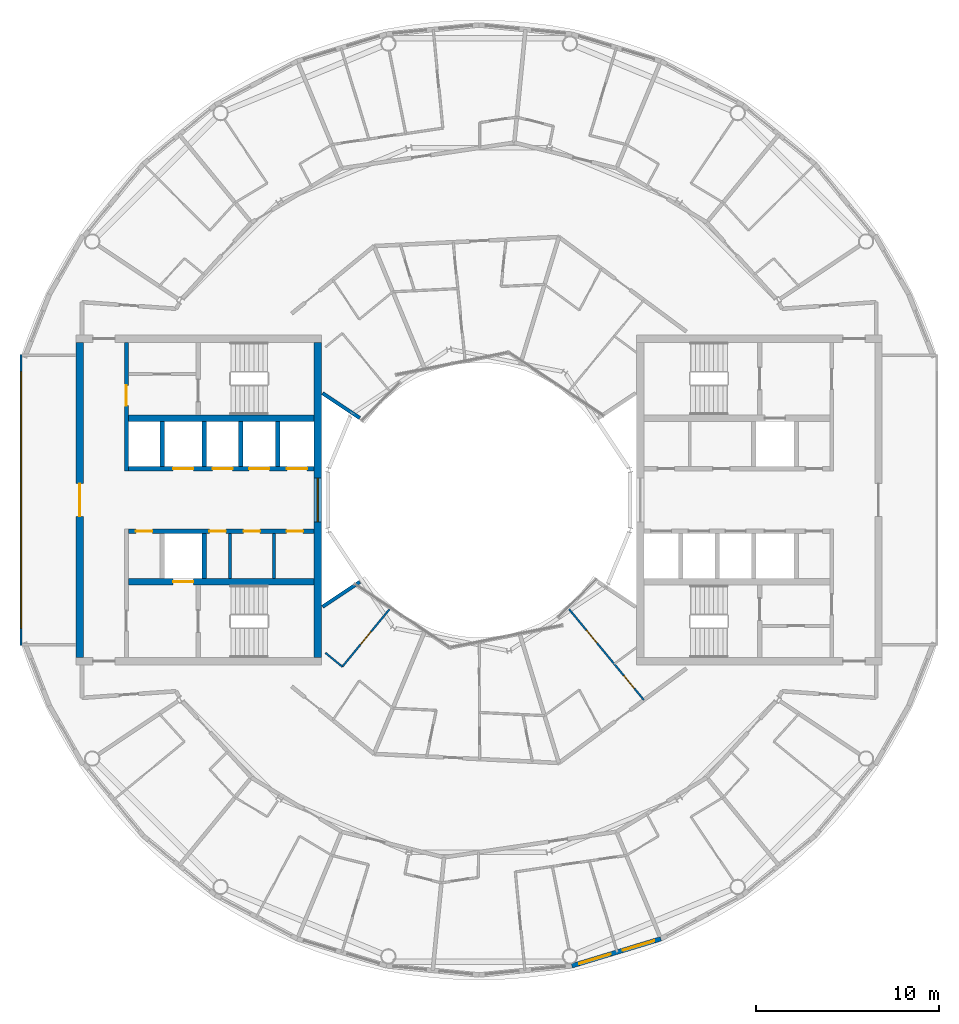
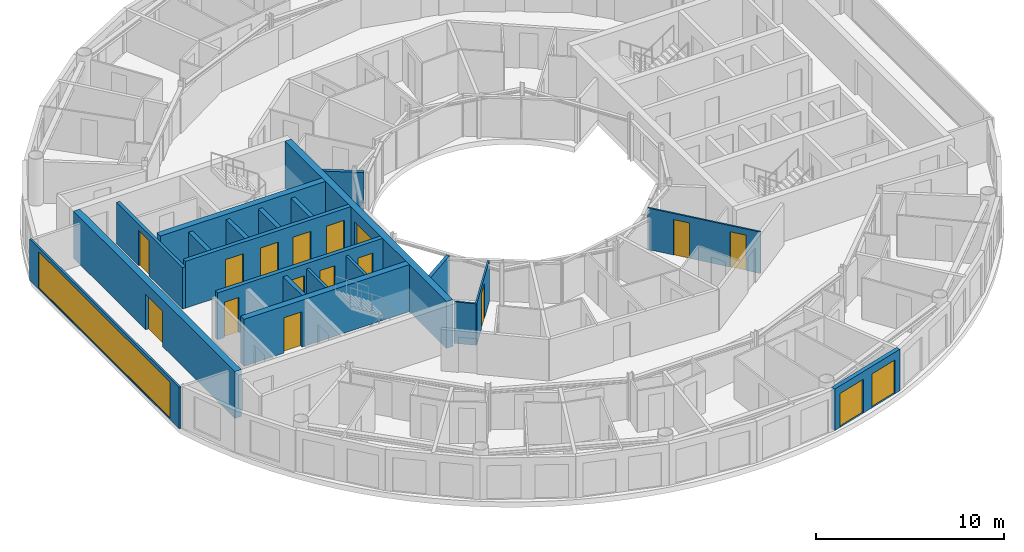
# One storey, part 13 of 22: 21 walls, 16 doors, 2 windows, 18 openings.
"""IFC4 building model written with IfcOpenShell, lengths in metres."""

import ifcopenshell
import ifcopenshell.guid

model = None  # the IFC model being written
_history = None  # IfcOwnerHistory: only IFC2X3 demands one
_inside = {}  # id of a spatial element -> (the spatial element, [elements in it])
_under = {}  # id of a project, library or spatial element -> (it, [spatial elements below it])
_declared = {}  # id of a project -> (the project, [libraries it declares])
_typed = {}  # id of a type object -> (the type object, [elements of that type])
_made_of = {}  # id of a material, layer set ... -> (it, [elements and type objects made of it])


def new_model(schema):
    """Start an empty IFC model of exactly this schema.

    Asked for "IFC4X3", IfcOpenShell would pick the latest addendum, in which some entities
    have other attributes; the version numbers below select the first issue.
    IFC2X3 requires an IfcOwnerHistory on every rooted entity: one is made here for all.
    """
    global model, _history
    if schema == "IFC4X3":
        model = ifcopenshell.file(schema_version=(4, 3, 0, 0))
    else:
        model = ifcopenshell.file(schema=schema)
    _inside.clear()
    _under.clear()
    _declared.clear()
    _typed.clear()
    _made_of.clear()
    _history = None
    if model.schema == "IFC2X3":
        org = make("IfcOrganization", Name="unknown")
        user = make(
            "IfcPersonAndOrganization",
            ThePerson=make("IfcPerson", FamilyName="unknown"),
            TheOrganization=org,
        )
        app = make(
            "IfcApplication",
            ApplicationDeveloper=org,
            Version="unknown",
            ApplicationFullName="unknown",
            ApplicationIdentifier="unknown",
        )
        _history = make(
            "IfcOwnerHistory",
            OwningUser=user,
            OwningApplication=app,
            ChangeAction="ADDED",
            CreationDate=0,
        )
    return model


def make(cls, **values):
    """One entity of the class cls with the attributes given. An attribute that is None is left unset."""
    return model.create_entity(
        cls, **{name: value for name, value in values.items() if value is not None}
    )


def rooted(cls, **values):
    """An entity with a GlobalId (a new one), such as an element, a storey or a relation."""
    return make(cls, GlobalId=ifcopenshell.guid.new(), OwnerHistory=_history, **values)


def si_unit(unit_type, name, prefix=None):
    """IfcSIUnit, for example si_unit("LENGTHUNIT", "METRE", prefix="MILLI")."""
    return make("IfcSIUnit", UnitType=unit_type, Prefix=prefix, Name=name)


def assignment(units):
    """IfcUnitAssignment: the units of a project."""
    return None if units is None else make("IfcUnitAssignment", Units=units)


def point(xyz):
    """IfcCartesianPoint."""
    return None if xyz is None else make("IfcCartesianPoint", Coordinates=xyz)


def direction(xyz):
    """IfcDirection."""
    return None if xyz is None else make("IfcDirection", DirectionRatios=xyz)


def frame(location, z_axis=None, x_axis=None):
    """IfcAxis2Placement3D, a coordinate frame: its origin and axes. An axis left out is left unset."""
    return make(
        "IfcAxis2Placement3D",
        Location=point(location),
        Axis=direction(z_axis),
        RefDirection=direction(x_axis),
    )


def frame_2d(location, x_axis=None):
    """IfcAxis2Placement2D, a coordinate frame in the plane: its origin and x axis."""
    return make(
        "IfcAxis2Placement2D", Location=point(location), RefDirection=direction(x_axis)
    )


def origin():
    """The frame at (0, 0, 0) with its axes left unset."""
    return frame((0.0, 0.0, 0.0))


def place(relative_to, where):
    """IfcLocalPlacement: puts the frame where relative to a parent placement (None: the world)."""
    return make(
        "IfcLocalPlacement", PlacementRelTo=relative_to, RelativePlacement=where
    )


def context(
    kind, dimensions, precision=None, world=None, true_north=None, identifier=None
):
    """IfcGeometricRepresentationContext, for example the 3D "Model" context."""
    return make(
        "IfcGeometricRepresentationContext",
        ContextIdentifier=identifier,
        ContextType=kind,
        CoordinateSpaceDimension=dimensions,
        Precision=precision,
        WorldCoordinateSystem=world,
        TrueNorth=true_north,
    )


def subcontext(parent, identifier, kind, view, scale=None):
    """IfcGeometricRepresentationSubContext, for example "Body" below "Model"."""
    return make(
        "IfcGeometricRepresentationSubContext",
        ContextIdentifier=identifier,
        ContextType=kind,
        ParentContext=parent,
        TargetScale=scale,
        TargetView=view,
    )


def project(units=None, contexts=None):
    """IfcProject with its units and contexts."""
    return rooted(
        "IfcProject",
        Name="project",
        RepresentationContexts=contexts,
        UnitsInContext=assignment(units),
    )


def spatial(cls, under=None, at=None, **own):
    """A site, building, storey or space (cls), placed at a placement, below another one or the project."""
    s = rooted(cls, ObjectPlacement=at, **own)
    if under is not None:
        _under.setdefault(under.id(), (under, []))[1].append(s)
    return s


def profile(cls, at=None, kind="AREA", **sizes):
    """A parametric profile (cls). Its sizes go by their IFC names, for example OverallWidth=200.0."""
    return make(cls, ProfileType=kind, Position=at, **sizes)


def rectangle(**sizes):
    """IfcRectangleProfileDef."""
    return profile("IfcRectangleProfileDef", **sizes)


def extrude(swept, where, along, depth):
    """IfcExtrudedAreaSolid: the profile swept, set in the frame where, extruded along a direction by depth."""
    return make(
        "IfcExtrudedAreaSolid",
        SweptArea=swept,
        Position=where,
        ExtrudedDirection=direction(along),
        Depth=depth,
    )


def shape(context_of_items, identifier, shape_type, items):
    """IfcShapeRepresentation: the items that make up one representation, for example the "Body"."""
    return make(
        "IfcShapeRepresentation",
        ContextOfItems=context_of_items,
        RepresentationIdentifier=identifier,
        RepresentationType=shape_type,
        Items=items,
    )


def material(Name=None, Category=None):
    """IfcMaterial."""
    return make("IfcMaterial", Name=Name, Category=Category)


def layer(
    of_material, thickness, ventilated=None, Name=None, Category=None, Priority=None
):
    """IfcMaterialLayer: one layer of a wall or slab, of a material (None: an air gap)."""
    return make(
        "IfcMaterialLayer",
        Material=of_material,
        LayerThickness=thickness,
        IsVentilated=ventilated,
        Name=Name,
        Category=Category,
        Priority=Priority,
    )


def layer_set(layers, Name=None):
    """IfcMaterialLayerSet."""
    return make("IfcMaterialLayerSet", MaterialLayers=layers, LayerSetName=Name)


def made_of(thing, what):
    """Note that an element or type object is made of a material, layer set ...; save() writes the relation."""
    if what is not None:
        _made_of.setdefault(what.id(), (what, []))[1].append(thing)
    return thing


def type_object(cls, material=None, **own):
    """A type object (cls), such as IfcWallType, which elements share."""
    return made_of(rooted(cls, **own), material)


def element(
    cls,
    number,
    at=None,
    inside=None,
    cuts=None,
    type_object=None,
    material=None,
    context=None,
    identifier="Body",
    shape_type=None,
    held_by="IfcProductDefinitionShape",
    body=None,
    shapes=None,
    **own,
):
    """One element of the class cls, such as IfcWall. Its Tag is "e" and its number.

    at: its placement. inside: the storey or other place that contains it. cuts: it is an
    opening in that element (IfcRelVoidsElement). A single representation is given by context,
    identifier, shape_type and body (its items); several are given by shapes. held_by: the class
    of the entity that holds the representations. save() writes the other relations.
    """
    e = rooted(cls, Tag="e%d" % number, ObjectPlacement=at, **own)
    if body is not None:
        shapes = [shape(context, identifier, shape_type, body)]
    if shapes is not None:
        e.Representation = make(held_by, Representations=shapes)
    if inside is not None:
        _inside.setdefault(inside.id(), (inside, []))[1].append(e)
    if cuts is not None:
        rooted(
            "IfcRelVoidsElement", RelatingBuildingElement=cuts, RelatedOpeningElement=e
        )
    if type_object is not None:
        _typed.setdefault(type_object.id(), (type_object, []))[1].append(e)
    return made_of(e, material)


def fill(opening, filler):
    """IfcRelFillsElement: the door or window that sits in an opening."""
    return rooted(
        "IfcRelFillsElement",
        RelatingOpeningElement=opening,
        RelatedBuildingElement=filler,
    )


def aggregate(whole, parts):
    """IfcRelAggregates: a whole, such as a stair, and the parts it consists of."""
    return rooted("IfcRelAggregates", RelatingObject=whole, RelatedObjects=parts)


def save(model, path):
    """Write the relations noted so far, then the file.

    IfcRelAggregates (storeys below a building ...), IfcRelContainedInSpatialStructure (elements
    in a storey), IfcRelDefinesByType, IfcRelAssociatesMaterial and IfcRelDeclares: one each for
    every whole, place, type object, material and project.
    """
    for whole, parts in _under.values():
        aggregate(whole, parts)
    for where, things in _inside.values():
        rooted(
            "IfcRelContainedInSpatialStructure",
            RelatedElements=things,
            RelatingStructure=where,
        )
    for kind, things in _typed.values():
        rooted("IfcRelDefinesByType", RelatedObjects=things, RelatingType=kind)
    for what, things in _made_of.values():
        rooted("IfcRelAssociatesMaterial", RelatedObjects=things, RelatingMaterial=what)
    for by, libraries in _declared.values():
        rooted("IfcRelDeclares", RelatingContext=by, RelatedDefinitions=libraries)
    model.write(path)


model = new_model("IFC4")

# Units and contexts
model_context = context("Model", 3, precision=1e-05, world=origin(), true_north=direction((0.0, 1.0)))
body_context = subcontext(model_context, "Body", "Model", "MODEL_VIEW")
ifc_project = project(units=[si_unit("LENGTHUNIT", "METRE"), si_unit("AREAUNIT", "SQUARE_METRE"), si_unit("VOLUMEUNIT", "CUBIC_METRE"), si_unit("PLANEANGLEUNIT", "RADIAN"), si_unit("MASSUNIT", "GRAM", prefix="KILO")], contexts=[model_context])

# Site, building, storey
site_placement = place(None, origin())
site = spatial("IfcSite", under=ifc_project, at=site_placement, CompositionType="ELEMENT")
building_placement = place(site_placement, origin())
building = spatial("IfcBuilding", under=site, at=building_placement, Name="Maasbend Ring Residences", CompositionType="ELEMENT")
storey_placement = place(building_placement, frame((0.0, 0.0, 237.10009765625)))
storey = spatial("IfcBuildingStorey", under=building, at=storey_placement, Name="L68", CompositionType="ELEMENT", Elevation=237.10009765625)

# Wall, openings, doors
ifc_material_1 = material(Name="Concrete C50/60", Category="concrete")
ifc_layer_1 = layer(ifc_material_1, 0.25)
ifc_layer_set_1 = layer_set([ifc_layer_1], Name="Concrete C50/60")
wall_type_1 = type_object("IfcWallType", Name="CORE WALL 250 C50/60", PredefinedType="SHEAR", material=ifc_layer_set_1)
wall_1_placement = place(storey_placement, frame((-9.0, -1.699951171875, 0.0), z_axis=(0.0, 0.0, 1.0), x_axis=(-1.0, 0.0, 0.0)))
wall_1 = element("IfcWall", 1, at=wall_1_placement, inside=storey, type_object=wall_type_1, Name="L68 core W wall SPN", PredefinedType="SHEAR", context=body_context, shape_type="SweptSolid", body=[
    extrude(rectangle(XDim=10.14990234375, YDim=0.25, at=frame_2d((5.074951171875, 0.0))), origin(), (0.0, 0.0, 1.0), 3.0498046875),
])
opening_1_placement = place(wall_1_placement, frame((0.612548828125, 0.0, 0.0)))
opening_1 = element("IfcOpeningElement", 2, at=opening_1_placement, cuts=wall_1, Name="Opening D-W6806", PredefinedType="OPENING", context=body_context, shape_type="SweptSolid", body=[
    extrude(rectangle(XDim=0.89990234375, YDim=2.300048828125, at=frame_2d((0.449951171875, 1.14990234375))), frame((0.0, 0.135009765625, 0.0), z_axis=(0.0, -1.0, 0.0), x_axis=(1.0, 0.0, 0.0)), (0.0, 0.0, 1.0), 0.27001953125),
])
opening_2_placement = place(wall_1_placement, frame((2.949951171875, 0.0, 0.0)))
opening_2 = element("IfcOpeningElement", 3, at=opening_2_placement, cuts=wall_1, Name="Opening D-W6807", PredefinedType="OPENING", context=body_context, shape_type="SweptSolid", body=[
    extrude(rectangle(XDim=0.89990234375, YDim=2.300048828125, at=frame_2d((0.449951171875, 1.14990234375))), frame((0.0, 0.135009765625, 0.0), z_axis=(0.0, -1.0, 0.0), x_axis=(1.0, 0.0, 0.0)), (0.0, 0.0, 1.0), 0.27001953125),
])
opening_3_placement = place(wall_1_placement, frame((4.824951171875, 0.0, 0.0)))
opening_3 = element("IfcOpeningElement", 4, at=opening_3_placement, cuts=wall_1, Name="Opening D-W6808", PredefinedType="OPENING", context=body_context, shape_type="SweptSolid", body=[
    extrude(rectangle(XDim=0.89990234375, YDim=2.300048828125, at=frame_2d((0.449951171875, 1.14990234375))), frame((0.0, 0.135009765625, 0.0), z_axis=(0.0, -1.0, 0.0), x_axis=(1.0, 0.0, 0.0)), (0.0, 0.0, 1.0), 0.27001953125),
])
opening_4_placement = place(wall_1_placement, frame((8.83740234375, 0.0, 0.0)))
opening_4 = element("IfcOpeningElement", 5, at=opening_4_placement, cuts=wall_1, Name="Opening D-W6809", PredefinedType="OPENING", context=body_context, shape_type="SweptSolid", body=[
    extrude(rectangle(XDim=0.89990234375, YDim=2.300048828125, at=frame_2d((0.449951171875, 1.14990234375))), frame((0.0, 0.135009765625, 0.0), z_axis=(0.0, -1.0, 0.0), x_axis=(1.0, 0.0, 0.0)), (0.0, 0.0, 1.0), 0.27001953125),
])
ifc_material_2 = material(Name="Steel, powder coated", Category="steel")
door_type_1 = type_object("IfcDoorType", Name="ROOM DOOR 900 X 2300 FD30S", OperationType="NOTDEFINED", PredefinedType="DOOR", material=ifc_material_2)
door_1_placement = place(opening_1_placement, origin())
door_1 = element("IfcDoor", 6, at=door_1_placement, inside=storey, type_object=door_type_1, Name="Room door L68", OperationType="SINGLE_SWING_RIGHT", OverallHeight=2.300048828125, OverallWidth=0.89990234375, PredefinedType="DOOR", context=body_context, shape_type="SweptSolid", body=[
    extrude(rectangle(XDim=0.89990234375, YDim=2.300048828125, at=frame_2d((0.449951171875, 1.14990234375))), frame((0.0, 0.02490234375, 0.0), z_axis=(0.0, -1.0, 0.0), x_axis=(1.0, 0.0, 0.0)), (0.0, 0.0, 1.0), 0.050048828125),
])
fill(opening_1, door_1)
door_2_placement = place(opening_2_placement, origin())
door_2 = element("IfcDoor", 7, at=door_2_placement, inside=storey, type_object=door_type_1, Name="Room door L68", OperationType="SINGLE_SWING_RIGHT", OverallHeight=2.300048828125, OverallWidth=0.89990234375, PredefinedType="DOOR", context=body_context, shape_type="SweptSolid", body=[
    extrude(rectangle(XDim=0.89990234375, YDim=2.300048828125, at=frame_2d((0.449951171875, 1.14990234375))), frame((0.0, 0.02490234375, 0.0), z_axis=(0.0, -1.0, 0.0), x_axis=(1.0, 0.0, 0.0)), (0.0, 0.0, 1.0), 0.050048828125),
])
fill(opening_2, door_2)
door_3_placement = place(opening_3_placement, origin())
door_3 = element("IfcDoor", 8, at=door_3_placement, inside=storey, type_object=door_type_1, Name="Room door L68", OperationType="SINGLE_SWING_LEFT", OverallHeight=2.300048828125, OverallWidth=0.89990234375, PredefinedType="DOOR", context=body_context, shape_type="SweptSolid", body=[
    extrude(rectangle(XDim=0.89990234375, YDim=2.300048828125, at=frame_2d((0.449951171875, 1.14990234375))), frame((0.0, 0.02490234375, 0.0), z_axis=(0.0, -1.0, 0.0), x_axis=(1.0, 0.0, 0.0)), (0.0, 0.0, 1.0), 0.050048828125),
])
fill(opening_3, door_3)
door_4_placement = place(opening_4_placement, origin())
door_4 = element("IfcDoor", 9, at=door_4_placement, inside=storey, type_object=door_type_1, Name="Room door L68", OperationType="SINGLE_SWING_LEFT", OverallHeight=2.300048828125, OverallWidth=0.89990234375, PredefinedType="DOOR", context=body_context, shape_type="SweptSolid", body=[
    extrude(rectangle(XDim=0.89990234375, YDim=2.300048828125, at=frame_2d((0.449951171875, 1.14990234375))), frame((0.0, 0.02490234375, 0.0), z_axis=(0.0, -1.0, 0.0), x_axis=(1.0, 0.0, 0.0)), (0.0, 0.0, 1.0), 0.050048828125),
])
fill(opening_4, door_4)

wall_2_placement = place(storey_placement, frame((-9.0, 1.699951171875, 0.0), z_axis=(0.0, 0.0, 1.0), x_axis=(-1.0, 0.0, 0.0)))
wall_2 = element("IfcWall", 10, at=wall_2_placement, inside=storey, type_object=wall_type_1, Name="L68 core W wall SPS", PredefinedType="SHEAR", context=body_context, shape_type="SweptSolid", body=[
    extrude(rectangle(XDim=10.14990234375, YDim=0.25, at=frame_2d((5.074951171875, 0.0))), origin(), (0.0, 0.0, 1.0), 3.0498046875),
])
opening_5_placement = place(wall_2_placement, frame((0.387451171875, 0.0, 0.0)))
opening_5 = element("IfcOpeningElement", 11, at=opening_5_placement, cuts=wall_2, Name="Opening LD-W6802", PredefinedType="OPENING", context=body_context, shape_type="SweptSolid", body=[
    extrude(rectangle(XDim=1.10009765625, YDim=2.300048828125, at=frame_2d((0.550048828125, 1.14990234375))), frame((0.0, 0.135009765625, 0.0), z_axis=(0.0, -1.0, 0.0), x_axis=(1.0, 0.0, 0.0)), (0.0, 0.0, 1.0), 0.27001953125),
])
opening_6_placement = place(wall_2_placement, frame((2.449951171875, 0.0, 0.0)))
opening_6 = element("IfcOpeningElement", 12, at=opening_6_placement, cuts=wall_2, Name="Opening LD-W6803", PredefinedType="OPENING", context=body_context, shape_type="SweptSolid", body=[
    extrude(rectangle(XDim=1.10009765625, YDim=2.300048828125, at=frame_2d((0.550048828125, 1.14990234375))), frame((0.0, 0.135009765625, 0.0), z_axis=(0.0, -1.0, 0.0), x_axis=(1.0, 0.0, 0.0)), (0.0, 0.0, 1.0), 0.27001953125),
])
opening_7_placement = place(wall_2_placement, frame((4.449951171875, 0.0, 0.0)))
opening_7 = element("IfcOpeningElement", 13, at=opening_7_placement, cuts=wall_2, Name="Opening LD-W6804", PredefinedType="OPENING", context=body_context, shape_type="SweptSolid", body=[
    extrude(rectangle(XDim=1.10009765625, YDim=2.300048828125, at=frame_2d((0.550048828125, 1.14990234375))), frame((0.0, 0.135009765625, 0.0), z_axis=(0.0, -1.0, 0.0), x_axis=(1.0, 0.0, 0.0)), (0.0, 0.0, 1.0), 0.27001953125),
])
opening_8_placement = place(wall_2_placement, frame((6.60009765625, 0.0, 0.0)))
opening_8 = element("IfcOpeningElement", 14, at=opening_8_placement, cuts=wall_2, Name="Opening LD-W6805", PredefinedType="OPENING", context=body_context, shape_type="SweptSolid", body=[
    extrude(rectangle(XDim=1.10009765625, YDim=2.300048828125, at=frame_2d((0.550048828125, 1.14990234375))), frame((0.0, 0.135009765625, 0.0), z_axis=(0.0, -1.0, 0.0), x_axis=(1.0, 0.0, 0.0)), (0.0, 0.0, 1.0), 0.27001953125),
])
ifc_material_3 = material(Name="Stainless steel 316", Category="steel")
door_type_2 = type_object("IfcDoorType", Name="LANDING DOOR 1100 X 2300 FD60", OperationType="DOUBLE_DOOR_SLIDING", PredefinedType="DOOR", material=ifc_material_3)
door_5_placement = place(opening_5_placement, origin())
door_5 = element("IfcDoor", 15, at=door_5_placement, inside=storey, type_object=door_type_2, Name="Landing door HR-W1 L68", OperationType="DOUBLE_DOOR_SLIDING", OverallHeight=2.300048828125, OverallWidth=1.10009765625, PredefinedType="DOOR", context=body_context, shape_type="SweptSolid", body=[
    extrude(rectangle(XDim=1.10009765625, YDim=2.300048828125, at=frame_2d((0.550048828125, 1.14990234375))), frame((0.0, 0.02490234375, 0.0), z_axis=(0.0, -1.0, 0.0), x_axis=(1.0, 0.0, 0.0)), (0.0, 0.0, 1.0), 0.050048828125),
])
fill(opening_5, door_5)
door_6_placement = place(opening_6_placement, origin())
door_6 = element("IfcDoor", 16, at=door_6_placement, inside=storey, type_object=door_type_2, Name="Landing door HR-W2 L68", OperationType="DOUBLE_DOOR_SLIDING", OverallHeight=2.300048828125, OverallWidth=1.10009765625, PredefinedType="DOOR", context=body_context, shape_type="SweptSolid", body=[
    extrude(rectangle(XDim=1.10009765625, YDim=2.300048828125, at=frame_2d((0.550048828125, 1.14990234375))), frame((0.0, 0.02490234375, 0.0), z_axis=(0.0, -1.0, 0.0), x_axis=(1.0, 0.0, 0.0)), (0.0, 0.0, 1.0), 0.050048828125),
])
fill(opening_6, door_6)
door_7_placement = place(opening_7_placement, origin())
door_7 = element("IfcDoor", 17, at=door_7_placement, inside=storey, type_object=door_type_2, Name="Landing door HR-W3 L68", OperationType="DOUBLE_DOOR_SLIDING", OverallHeight=2.300048828125, OverallWidth=1.10009765625, PredefinedType="DOOR", context=body_context, shape_type="SweptSolid", body=[
    extrude(rectangle(XDim=1.10009765625, YDim=2.300048828125, at=frame_2d((0.550048828125, 1.14990234375))), frame((0.0, 0.02490234375, 0.0), z_axis=(0.0, -1.0, 0.0), x_axis=(1.0, 0.0, 0.0)), (0.0, 0.0, 1.0), 0.050048828125),
])
fill(opening_7, door_7)
door_8_placement = place(opening_8_placement, origin())
door_8 = element("IfcDoor", 18, at=door_8_placement, inside=storey, type_object=door_type_2, Name="Landing door SV-W L68", OperationType="DOUBLE_DOOR_SLIDING", OverallHeight=2.300048828125, OverallWidth=1.10009765625, PredefinedType="DOOR", context=body_context, shape_type="SweptSolid", body=[
    extrude(rectangle(XDim=1.10009765625, YDim=2.300048828125, at=frame_2d((0.550048828125, 1.14990234375))), frame((0.0, 0.02490234375, 0.0), z_axis=(0.0, -1.0, 0.0), x_axis=(1.0, 0.0, 0.0)), (0.0, 0.0, 1.0), 0.050048828125),
])
fill(opening_8, door_8)

# Wall, opening, door
ifc_material_4 = material(Name="Concrete C50/60", Category="concrete")
ifc_layer_2 = layer(ifc_material_4, 0.375)
ifc_layer_set_2 = layer_set([ifc_layer_2], Name="Concrete C50/60")
wall_type_2 = type_object("IfcWallType", Name="CORE WALL 375 C50/60", PredefinedType="SHEAR", material=ifc_layer_set_2)
wall_3_placement = place(storey_placement, frame((-9.0, -4.46240234375, 0.0), z_axis=(0.0, 0.0, 1.0), x_axis=(-1.0, 0.0, 0.0)))
wall_3 = element("IfcWall", 19, at=wall_3_placement, inside=storey, type_object=wall_type_2, Name="L68 core W wall BN", PredefinedType="SHEAR", context=body_context, shape_type="SweptSolid", body=[
    extrude(rectangle(XDim=10.14990234375, YDim=0.375, at=frame_2d((5.074951171875, 0.0))), origin(), (0.0, 0.0, 1.0), 3.0498046875),
])
opening_9_placement = place(wall_3_placement, frame((6.60009765625, 0.0, 0.0)))
opening_9 = element("IfcOpeningElement", 20, at=opening_9_placement, cuts=wall_3, Name="Opening LD-W6801", PredefinedType="OPENING", context=body_context, shape_type="SweptSolid", body=[
    extrude(rectangle(XDim=1.10009765625, YDim=2.300048828125, at=frame_2d((0.550048828125, 1.14990234375))), frame((0.0, 0.197509765625, 0.0), z_axis=(0.0, -1.0, 0.0), x_axis=(1.0, 0.0, 0.0)), (0.0, 0.0, 1.0), 0.39501953125),
])
door_9_placement = place(opening_9_placement, origin())
door_9 = element("IfcDoor", 21, at=door_9_placement, inside=storey, type_object=door_type_2, Name="Landing door FF-W L68", OperationType="DOUBLE_DOOR_SLIDING", OverallHeight=2.300048828125, OverallWidth=1.10009765625, PredefinedType="DOOR", context=body_context, shape_type="SweptSolid", body=[
    extrude(rectangle(XDim=1.10009765625, YDim=2.300048828125, at=frame_2d((0.550048828125, 1.14990234375))), frame((0.0, 0.02490234375, 0.0), z_axis=(0.0, -1.0, 0.0), x_axis=(1.0, 0.0, 0.0)), (0.0, 0.0, 1.0), 0.050048828125),
])
fill(opening_9, door_9)

# Wall
wall_4_placement = place(storey_placement, frame((-9.0, 4.46240234375, 0.0), z_axis=(0.0, 0.0, 1.0), x_axis=(-1.0, 0.0, 0.0)))
element("IfcWall", 22, at=wall_4_placement, inside=storey, type_object=wall_type_2, Name="L68 core W wall BS", PredefinedType="SHEAR", context=body_context, shape_type="SweptSolid", body=[
    extrude(rectangle(XDim=10.14990234375, YDim=0.375, at=frame_2d((5.074951171875, 0.0))), origin(), (0.0, 0.0, 1.0), 3.0498046875),
])

# Wall, opening, door
ifc_material_5 = material(Name="Concrete C50/60", Category="concrete")
ifc_layer_3 = layer(ifc_material_5, 0.39990234375)
ifc_layer_set_3 = layer_set([ifc_layer_3], Name="Concrete C50/60")
wall_type_3 = type_object("IfcWallType", Name="CORE WALL 400 C50/60", PredefinedType="SHEAR", material=ifc_layer_set_3)
wall_5_placement = place(storey_placement, frame((-21.800048828125, -8.60009765625, 0.0), z_axis=(0.0, 0.0, 1.0), x_axis=(0.0, 1.0, 0.0)))
wall_5 = element("IfcWall", 23, at=wall_5_placement, inside=storey, type_object=wall_type_3, Name="L68 core W wall POUT", PredefinedType="SHEAR", context=body_context, shape_type="SweptSolid", body=[
    extrude(rectangle(XDim=17.2001953125, YDim=0.39990234375, at=frame_2d((8.60009765625, 0.0))), origin(), (0.0, 0.0, 1.0), 3.0498046875),
])
opening_10_placement = place(wall_5_placement, frame((7.699951171875, 0.0, 0.0)))
opening_10 = element("IfcOpeningElement", 24, at=opening_10_placement, cuts=wall_5, Name="Opening D-W6817", PredefinedType="OPENING", context=body_context, shape_type="SweptSolid", body=[
    extrude(rectangle(XDim=1.800048828125, YDim=2.300048828125, at=frame_2d((0.89990234375, 1.14990234375))), frame((0.0, 0.2099609375, 0.0), z_axis=(0.0, -1.0, 0.0), x_axis=(1.0, 0.0, 0.0)), (0.0, 0.0, 1.0), 0.419921875),
])
ifc_material_6 = material(Name="Aluminium frame, clear glass", Category="aluminium")
door_type_3 = type_object("IfcDoorType", Name="ENTRANCE DOOR 1800 X 2300 FD60", OperationType="NOTDEFINED", PredefinedType="DOOR", material=ifc_material_6)
door_10_placement = place(opening_10_placement, origin())
door_10 = element("IfcDoor", 25, at=door_10_placement, inside=storey, type_object=door_type_3, Name="Lobby glazed door L68", OperationType="SINGLE_SWING_LEFT", OverallHeight=2.300048828125, OverallWidth=1.800048828125, PredefinedType="DOOR", context=body_context, shape_type="SweptSolid", body=[
    extrude(rectangle(XDim=1.800048828125, YDim=2.300048828125, at=frame_2d((0.89990234375, 1.14990234375))), frame((0.0, 0.02490234375, 0.0), z_axis=(0.0, -1.0, 0.0), x_axis=(1.0, 0.0, 0.0)), (0.0, 0.0, 1.0), 0.050048828125),
])
fill(opening_10, door_10)

# Wall, opening, window
wall_6_placement = place(storey_placement, frame((-8.800048828125, 8.60009765625, 0.0), z_axis=(0.0, 0.0, 1.0), x_axis=(0.0, -1.0, 0.0)))
wall_6 = element("IfcWall", 26, at=wall_6_placement, inside=storey, type_object=wall_type_3, Name="L68 core W wall PIN", PredefinedType="SHEAR", context=body_context, shape_type="SweptSolid", body=[
    extrude(rectangle(XDim=17.2001953125, YDim=0.39990234375, at=frame_2d((8.60009765625, 0.0))), origin(), (0.0, 0.0, 1.0), 3.0498046875),
])
opening_11_placement = place(wall_6_placement, frame((7.39990234375, 0.0, 0.10009765625)))
opening_11 = element("IfcOpeningElement", 27, at=opening_11_placement, cuts=wall_6, Name="Opening W-W6801", PredefinedType="OPENING", context=body_context, shape_type="SweptSolid", body=[
    extrude(rectangle(XDim=2.39990234375, YDim=2.199951171875, at=frame_2d((1.199951171875, 1.10009765625))), frame((0.0, 0.2099609375, 0.0), z_axis=(0.0, -1.0, 0.0), x_axis=(1.0, 0.0, 0.0)), (0.0, 0.0, 1.0), 0.419921875),
])
ifc_material_7 = material(Name="Aluminium frame and clear glass", Category="aluminium")
window_type_1 = type_object("IfcWindowType", Name="FIXED WINDOW 2400 X 2200", PartitioningType="SINGLE_PANEL", PredefinedType="WINDOW", material=ifc_material_7)
window_1_placement = place(opening_11_placement, origin())
window_1 = element("IfcWindow", 28, at=window_1_placement, inside=storey, type_object=window_type_1, Name="Lobby window L68", OverallHeight=2.199951171875, OverallWidth=2.39990234375, PartitioningType="SINGLE_PANEL", PredefinedType="WINDOW", context=body_context, shape_type="SweptSolid", body=[
    extrude(rectangle(XDim=2.39990234375, YDim=2.199951171875, at=frame_2d((1.199951171875, 1.10009765625))), frame((0.0, 0.030029296875, 0.0), z_axis=(0.0, -1.0, 0.0), x_axis=(1.0, 0.0, 0.0)), (0.0, 0.0, 1.0), 0.06005859375),
])
fill(opening_11, window_1)

# Wall, openings, doors
ifc_material_8 = material(Name="Aluminium clad insulated panel", Category="aluminium")
ifc_layer_4 = layer(ifc_material_8, 0.25)
ifc_layer_set_4 = layer_set([ifc_layer_4], Name="EW-GL")
wall_type_4 = type_object("IfcWallType", Name="EW-GL", PredefinedType="SOLIDWALL", material=ifc_layer_set_4)
wall_7_placement = place(storey_placement, frame((5.05810546875, -25.427001953125, 0.0), z_axis=(0.0, 0.0, 1.0), x_axis=(0.956941126395, 0.290282070774, 0.0)))
wall_7 = element("IfcWall", 29, at=wall_7_placement, inside=storey, type_object=wall_type_4, Name="External wall S07", PredefinedType="SOLIDWALL", context=body_context, shape_type="SweptSolid", body=[
    extrude(rectangle(XDim=5.08154296875, YDim=0.25, at=frame_2d((2.540771484375, 0.0))), origin(), (0.0, 0.0, 1.0), 2.699951171875),
])
opening_12_placement = place(wall_7_placement, frame((0.419921875, 0.0, 0.0)))
opening_12 = element("IfcOpeningElement", 30, at=opening_12_placement, cuts=wall_7, Name="Opening D-TR", PredefinedType="OPENING", context=body_context, shape_type="SweptSolid", body=[
    extrude(rectangle(XDim=1.800048828125, YDim=2.199951171875, at=frame_2d((0.89990234375, 1.10009765625))), frame((0.0, 0.135009765625, 0.0), z_axis=(0.0, -1.0, 0.0), x_axis=(1.0, 0.0, 0.0)), (0.0, 0.0, 1.0), 0.27001953125),
])
opening_13_placement = place(wall_7_placement, frame((2.90869140625, 0.0, 0.0)))
opening_13 = element("IfcOpeningElement", 31, at=opening_13_placement, cuts=wall_7, Name="Opening D-TR", PredefinedType="OPENING", context=body_context, shape_type="SweptSolid", body=[
    extrude(rectangle(XDim=1.800048828125, YDim=2.199951171875, at=frame_2d((0.89990234375, 1.10009765625))), frame((0.0, 0.135009765625, 0.0), z_axis=(0.0, -1.0, 0.0), x_axis=(1.0, 0.0, 0.0)), (0.0, 0.0, 1.0), 0.27001953125),
])
ifc_material_9 = material(Name="Aluminium and clear glass", Category="aluminium")
door_type_4 = type_object("IfcDoorType", Name="D-TR", OperationType="DOUBLE_DOOR_SINGLE_SWING", PredefinedType="DOOR", material=ifc_material_9)
door_11_placement = place(opening_12_placement, origin())
door_11 = element("IfcDoor", 32, at=door_11_placement, inside=storey, type_object=door_type_4, Name="Terrace door S13", OperationType="SINGLE_SWING_LEFT", OverallHeight=2.199951171875, OverallWidth=1.800048828125, PredefinedType="DOOR", context=body_context, shape_type="SweptSolid", body=[
    extrude(rectangle(XDim=1.800048828125, YDim=2.199951171875, at=frame_2d((0.89990234375, 1.10009765625))), frame((0.0, 0.02490234375, 0.0), z_axis=(0.0, -1.0, 0.0), x_axis=(1.0, 0.0, 0.0)), (0.0, 0.0, 1.0), 0.050048828125),
])
fill(opening_12, door_11)
door_12_placement = place(opening_13_placement, origin())
door_12 = element("IfcDoor", 33, at=door_12_placement, inside=storey, type_object=door_type_4, Name="Terrace door S14", OperationType="SINGLE_SWING_LEFT", OverallHeight=2.199951171875, OverallWidth=1.800048828125, PredefinedType="DOOR", context=body_context, shape_type="SweptSolid", body=[
    extrude(rectangle(XDim=1.800048828125, YDim=2.199951171875, at=frame_2d((0.89990234375, 1.10009765625))), frame((0.0, 0.02490234375, 0.0), z_axis=(0.0, -1.0, 0.0), x_axis=(1.0, 0.0, 0.0)), (0.0, 0.0, 1.0), 0.050048828125),
])
fill(opening_13, door_12)

# Wall, opening, window
ifc_material_10 = material(Name="Aluminium frame and clear glass", Category="aluminium")
ifc_layer_5 = layer(ifc_material_10, 0.1201171875)
ifc_layer_set_5 = layer_set([ifc_layer_5], Name="GLAZED SCREEN WALL 120 EI 60")
wall_type_5 = type_object("IfcWallType", Name="GLAZED SCREEN WALL 120 EI 60", PredefinedType="PARTITIONING", material=ifc_layer_set_5)
wall_8_placement = place(storey_placement, frame((-25.0, 7.949951171875, 0.0), z_axis=(0.0, 0.0, 1.0), x_axis=(0.0, -1.0, 0.0)))
wall_8 = element("IfcWall", 34, at=wall_8_placement, inside=storey, type_object=wall_type_5, Name="L68 core W wall FACE", PredefinedType="PARTITIONING", context=body_context, shape_type="SweptSolid", body=[
    extrude(rectangle(XDim=15.89990234375, YDim=0.1201171875, at=frame_2d((7.949951171875, 0.0))), origin(), (0.0, 0.0, 1.0), 2.699951171875),
])
opening_14_placement = place(wall_8_placement, frame((0.949951171875, 0.0, 0.10009765625)))
opening_14 = element("IfcOpeningElement", 35, at=opening_14_placement, cuts=wall_8, Name="Opening W-W6802", PredefinedType="OPENING", context=body_context, shape_type="SweptSolid", body=[
    extrude(rectangle(XDim=14.0, YDim=2.35009765625, at=frame_2d((7.0, 1.175048828125))), frame((0.0, 0.070068359375, 0.0), z_axis=(0.0, -1.0, 0.0), x_axis=(1.0, 0.0, 0.0)), (0.0, 0.0, 1.0), 0.14013671875),
])
ifc_material_11 = material(Name="Aluminium frame and clear glass", Category="aluminium")
window_type_2 = type_object("IfcWindowType", Name="FIXED WINDOW 14000 X 2350", PartitioningType="SINGLE_PANEL", PredefinedType="WINDOW", material=ifc_material_11)
window_2_placement = place(opening_14_placement, origin())
window_2 = element("IfcWindow", 36, at=window_2_placement, inside=storey, type_object=window_type_2, Name="Lobby window L68", OverallHeight=2.35009765625, OverallWidth=14.0, PartitioningType="SINGLE_PANEL", PredefinedType="WINDOW", context=body_context, shape_type="SweptSolid", body=[
    extrude(rectangle(XDim=14.0, YDim=2.35009765625, at=frame_2d((7.0, 1.175048828125))), frame((0.0, 0.030029296875, 0.0), z_axis=(0.0, -1.0, 0.0), x_axis=(1.0, 0.0, 0.0)), (0.0, 0.0, 1.0), 0.06005859375),
])
fill(opening_14, window_2)

# Wall
ifc_material_12 = material(Name="Gypsum board on steel studs", Category="steel")
ifc_layer_6 = layer(ifc_material_12, 0.10009765625)
ifc_layer_set_6 = layer_set([ifc_layer_6], Name="PARTITION 100 GYPSUM")
wall_type_6 = type_object("IfcWallType", Name="PARTITION 100 GYPSUM", PredefinedType="PARTITIONING", material=ifc_layer_set_6)
wall_9_placement = place(storey_placement, frame((-8.386962890625, -8.343994140625, 0.0), z_axis=(0.0, 0.0, 1.0), x_axis=(0.772869802794, -0.634564628646, 0.0)))
element("IfcWall", 37, at=wall_9_placement, inside=storey, type_object=wall_type_6, Name="U-L68-w026", PredefinedType="PARTITIONING", context=body_context, shape_type="SweptSolid", body=[
    extrude(rectangle(XDim=1.191650390625, YDim=0.10009765625, at=frame_2d((0.595703125, 0.0))), origin(), (0.0, 0.0, 1.0), 2.699951171875),
])

# Wall, opening, door
wall_10_placement = place(storey_placement, frame((-7.467041015625, -9.09912109375, 0.0), z_axis=(0.0, 0.0, 1.0), x_axis=(0.634313840507, 0.773075644256, 0.0)))
wall_10 = element("IfcWall", 38, at=wall_10_placement, inside=storey, type_object=wall_type_6, Name="U-L68-w057", PredefinedType="PARTITIONING", context=body_context, shape_type="SweptSolid", body=[
    extrude(rectangle(XDim=4.05029296875, YDim=0.10009765625, at=frame_2d((2.025146484375, 0.0))), origin(), (0.0, 0.0, 1.0), 2.699951171875),
])
opening_15_placement = place(wall_10_placement, frame((1.574951171875, 0.0, 0.0)))
opening_15 = element("IfcOpeningElement", 39, at=opening_15_placement, cuts=wall_10, Name="Opening D-6855", PredefinedType="OPENING", context=body_context, shape_type="SweptSolid", body=[
    extrude(rectangle(XDim=0.89990234375, YDim=2.300048828125, at=frame_2d((0.449951171875, 1.14990234375))), frame((0.0, 0.06005859375, 0.0), z_axis=(0.0, -1.0, 0.0), x_axis=(1.0, 0.0, 0.0)), (0.0, 0.0, 1.0), 0.1201171875),
])
ifc_material_13 = material(Name="Timber, painted", Category="wood")
door_type_5 = type_object("IfcDoorType", Name="INTERNAL DOOR 900 X 2300", OperationType="NOTDEFINED", PredefinedType="DOOR", material=ifc_material_13)
door_13_placement = place(opening_15_placement, origin())
door_13 = element("IfcDoor", 40, at=door_13_placement, inside=storey, type_object=door_type_5, Name="D-6855", OperationType="SINGLE_SWING_RIGHT", OverallHeight=2.300048828125, OverallWidth=0.89990234375, PredefinedType="DOOR", context=body_context, shape_type="SweptSolid", body=[
    extrude(rectangle(XDim=0.89990234375, YDim=2.300048828125, at=frame_2d((0.449951171875, 1.14990234375))), frame((0.0, 0.02490234375, 0.0), z_axis=(0.0, -1.0, 0.0), x_axis=(1.0, 0.0, 0.0)), (0.0, 0.0, 1.0), 0.050048828125),
])
fill(opening_15, door_13)

# Wall, openings, doors
wall_11_placement = place(storey_placement, frame((4.908935546875, -5.9580078125, 0.0), z_axis=(0.0, 0.0, 1.0), x_axis=(0.635941750694, -0.771737059965, 0.0)))
wall_11 = element("IfcWall", 41, at=wall_11_placement, inside=storey, type_object=wall_type_6, Name="U-L68-w077", PredefinedType="PARTITIONING", context=body_context, shape_type="SweptSolid", body=[
    extrude(rectangle(XDim=6.421875, YDim=0.10009765625, at=frame_2d((3.2109375, 0.0))), origin(), (0.0, 0.0, 1.0), 2.699951171875),
])
opening_16_placement = place(wall_11_placement, frame((4.698974609375, 0.0, 0.0)))
opening_16 = element("IfcOpeningElement", 42, at=opening_16_placement, cuts=wall_11, Name="Opening D-6863", PredefinedType="OPENING", context=body_context, shape_type="SweptSolid", body=[
    extrude(rectangle(XDim=0.89990234375, YDim=2.300048828125, at=frame_2d((0.449951171875, 1.14990234375))), frame((0.0, 0.06005859375, 0.0), z_axis=(0.0, -1.0, 0.0), x_axis=(1.0, 0.0, 0.0)), (0.0, 0.0, 1.0), 0.1201171875),
])
opening_17_placement = place(wall_11_placement, frame((1.488037109375, 0.0, 0.0)))
opening_17 = element("IfcOpeningElement", 43, at=opening_17_placement, cuts=wall_11, Name="Opening D-6864", PredefinedType="OPENING", context=body_context, shape_type="SweptSolid", body=[
    extrude(rectangle(XDim=0.89990234375, YDim=2.300048828125, at=frame_2d((0.449951171875, 1.14990234375))), frame((0.0, 0.06005859375, 0.0), z_axis=(0.0, -1.0, 0.0), x_axis=(1.0, 0.0, 0.0)), (0.0, 0.0, 1.0), 0.1201171875),
])
door_14_placement = place(opening_16_placement, origin())
door_14 = element("IfcDoor", 44, at=door_14_placement, inside=storey, type_object=door_type_5, Name="D-6863", OperationType="SINGLE_SWING_RIGHT", OverallHeight=2.300048828125, OverallWidth=0.89990234375, PredefinedType="DOOR", context=body_context, shape_type="SweptSolid", body=[
    extrude(rectangle(XDim=0.89990234375, YDim=2.300048828125, at=frame_2d((0.449951171875, 1.14990234375))), frame((0.0, 0.02490234375, 0.0), z_axis=(0.0, -1.0, 0.0), x_axis=(1.0, 0.0, 0.0)), (0.0, 0.0, 1.0), 0.050048828125),
])
fill(opening_16, door_14)
door_15_placement = place(opening_17_placement, origin())
door_15 = element("IfcDoor", 45, at=door_15_placement, inside=storey, type_object=door_type_5, Name="D-6864", OperationType="SINGLE_SWING_LEFT", OverallHeight=2.300048828125, OverallWidth=0.89990234375, PredefinedType="DOOR", context=body_context, shape_type="SweptSolid", body=[
    extrude(rectangle(XDim=0.89990234375, YDim=2.300048828125, at=frame_2d((0.449951171875, 1.14990234375))), frame((0.0, 0.02490234375, 0.0), z_axis=(0.0, -1.0, 0.0), x_axis=(1.0, 0.0, 0.0)), (0.0, 0.0, 1.0), 0.050048828125),
])
fill(opening_17, door_15)

# Walls
ifc_material_14 = material(Name="Gypsum board on steel studs", Category="steel")
ifc_layer_7 = layer(ifc_material_14, 0.14990234375)
ifc_layer_set_7 = layer_set([ifc_layer_7], Name="PARTITION 150 EI 60")
wall_type_7 = type_object("IfcWallType", Name="PARTITION 150 EI 60", PredefinedType="PARTITIONING", material=ifc_layer_set_7)
for number, where, z_axis, x_axis, name in (
    (46, (-11.199951171875, -1.824951171875, 0.0), (0.0, 0.0, 1.0), (0.0, -1.0, 0.0), "L68 core W wall PRN1120"),
    (47, (-13.60009765625, -1.824951171875, 0.0), (0.0, 0.0, 1.0), (0.0, -1.0, 0.0), "L68 core W wall PRN1360"),
):
    element("IfcWall", number, at=place(storey_placement, frame(where, z_axis=z_axis, x_axis=x_axis)), inside=storey, type_object=wall_type_7, Name=name, PredefinedType="PARTITIONING", context=body_context, shape_type="SweptSolid", body=[
        extrude(rectangle(XDim=2.449951171875, YDim=0.14990234375, at=frame_2d((1.22509765625, 0.0))), origin(), (0.0, 0.0, 1.0), 2.699951171875),
    ])
ifc_material_15 = material(Name="Concrete C30/37", Category="concrete")
ifc_layer_8 = layer(ifc_material_15, 0.199951171875)
ifc_layer_set_8 = layer_set([ifc_layer_8], Name="Concrete C30/37")
wall_type_8 = type_object("IfcWallType", Name="PARTY WALL 200 CONCRETE", PredefinedType="PARTITIONING", material=ifc_layer_set_8)
for number, where, z_axis, x_axis, name in (
    (48, (-6.512939453125, -4.471923828125, 0.0), (0.0, 0.0, 1.0), (-0.831450132577, -0.555599385382, 0.0), "U-L68-w034"),
    (49, (-6.512939453125, 4.471923828125, 0.0), (0.0, 0.0, 1.0), (-0.831450132577, 0.555599385382, 0.0), "U-L68-w097"),
):
    element("IfcWall", number, at=place(storey_placement, frame(where, z_axis=z_axis, x_axis=x_axis)), inside=storey, type_object=wall_type_8, Name=name, PredefinedType="PARTITIONING", context=body_context, shape_type="SweptSolid", body=[
        extrude(rectangle(XDim=2.442626953125, YDim=0.199951171875, at=frame_2d((1.22119140625, 0.0))), origin(), (0.0, 0.0, 1.0), 2.699951171875),
    ])

# Wall, opening, door
ifc_material_16 = material(Name="Concrete C30/37", Category="concrete")
ifc_layer_9 = layer(ifc_material_16, 0.199951171875)
ifc_layer_set_9 = layer_set([ifc_layer_9], Name="Concrete C30/37")
wall_type_9 = type_object("IfcWallType", Name="SHAFT WALL 200 EI 120", PredefinedType="SOLIDWALL", material=ifc_layer_set_9)
wall_12_placement = place(storey_placement, frame((-19.25, 8.60009765625, 0.0), z_axis=(0.0, 0.0, 1.0), x_axis=(0.0, -1.0, 0.0)))
wall_12 = element("IfcWall", 50, at=wall_12_placement, inside=storey, type_object=wall_type_9, Name="L68 core W wall ENDS", PredefinedType="SOLIDWALL", context=body_context, shape_type="SweptSolid", body=[
    extrude(rectangle(XDim=7.025146484375, YDim=0.199951171875, at=frame_2d((3.5126953125, 0.0))), origin(), (0.0, 0.0, 1.0), 2.699951171875),
])
opening_18_placement = place(wall_12_placement, frame((2.35009765625, 0.0, 0.0)))
opening_18 = element("IfcOpeningElement", 51, at=opening_18_placement, cuts=wall_12, Name="Opening D-W6814", PredefinedType="OPENING", context=body_context, shape_type="SweptSolid", body=[
    extrude(rectangle(XDim=1.10009765625, YDim=2.300048828125, at=frame_2d((0.550048828125, 1.14990234375))), frame((0.0, 0.10986328125, 0.0), z_axis=(0.0, -1.0, 0.0), x_axis=(1.0, 0.0, 0.0)), (0.0, 0.0, 1.0), 0.219970703125),
])
ifc_material_17 = material(Name="Steel, powder coated", Category="steel")
door_type_6 = type_object("IfcDoorType", Name="LOBBY DOOR 1100 X 2300 FD60", OperationType="NOTDEFINED", PredefinedType="DOOR", material=ifc_material_17)
door_16_placement = place(opening_18_placement, origin())
door_16 = element("IfcDoor", 52, at=door_16_placement, inside=storey, type_object=door_type_6, Name="Lobby door L68", OperationType="SINGLE_SWING_RIGHT", OverallHeight=2.300048828125, OverallWidth=1.10009765625, PredefinedType="DOOR", context=body_context, shape_type="SweptSolid", body=[
    extrude(rectangle(XDim=1.10009765625, YDim=2.300048828125, at=frame_2d((0.550048828125, 1.14990234375))), frame((0.0, 0.02490234375, 0.0), z_axis=(0.0, -1.0, 0.0), x_axis=(1.0, 0.0, 0.0)), (0.0, 0.0, 1.0), 0.050048828125),
])
fill(opening_18, door_16)

# Walls
ifc_material_18 = material(Name="Concrete C30/37", Category="concrete")
ifc_layer_10 = layer(ifc_material_18, 0.25)
ifc_layer_set_10 = layer_set([ifc_layer_10], Name="Concrete C30/37")
wall_type_10 = type_object("IfcWallType", Name="SHAFT WALL 250 EI 120", PredefinedType="SOLIDWALL", material=ifc_layer_set_10)
for number, where, z_axis, x_axis, name in (
    (53, (-15.0, -1.824951171875, 0.0), (0.0, 0.0, 1.0), (0.0, -1.0, 0.0), "L68 core W wall D150N"),
    (54, (-15.0, 1.824951171875, 0.0), (0.0, 0.0, 1.0), (0.0, 1.0, 0.0), "L68 core W wall D150S"),
    (55, (-17.300048828125, 1.824951171875, 0.0), (0.0, 0.0, 1.0), (0.0, 1.0, 0.0), "L68 core W wall D173S"),
    (56, (-11.0, 1.824951171875, 0.0), (0.0, 0.0, 1.0), (0.0, 1.0, 0.0), "L68 core W wall D110S"),
    (57, (-13.0, 1.824951171875, 0.0), (0.0, 0.0, 1.0), (0.0, 1.0, 0.0), "L68 core W wall D130S"),
):
    element("IfcWall", number, at=place(storey_placement, frame(where, z_axis=z_axis, x_axis=x_axis)), inside=storey, type_object=wall_type_10, Name=name, PredefinedType="SOLIDWALL", context=body_context, shape_type="SweptSolid", body=[
        extrude(rectangle(XDim=2.449951171875, YDim=0.25, at=frame_2d((1.22509765625, 0.0))), origin(), (0.0, 0.0, 1.0), 2.699951171875),
    ])

save(model, "model.ifc")
